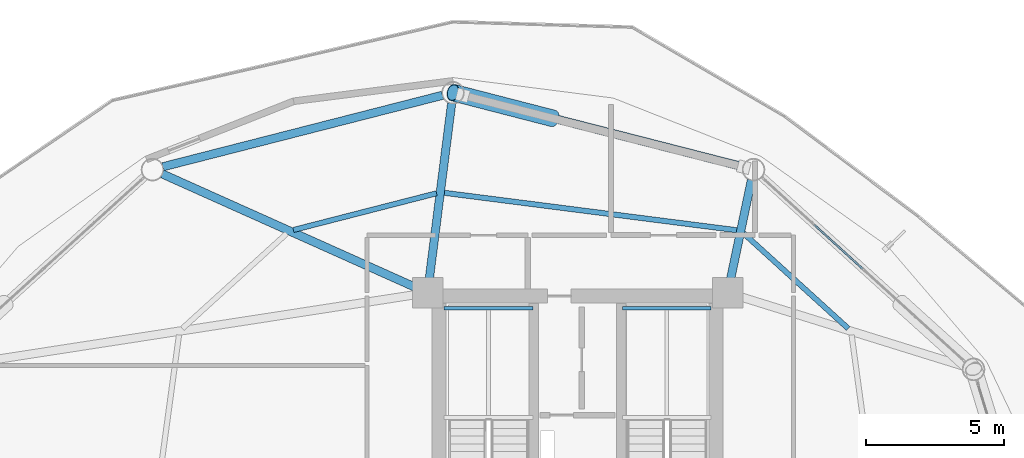
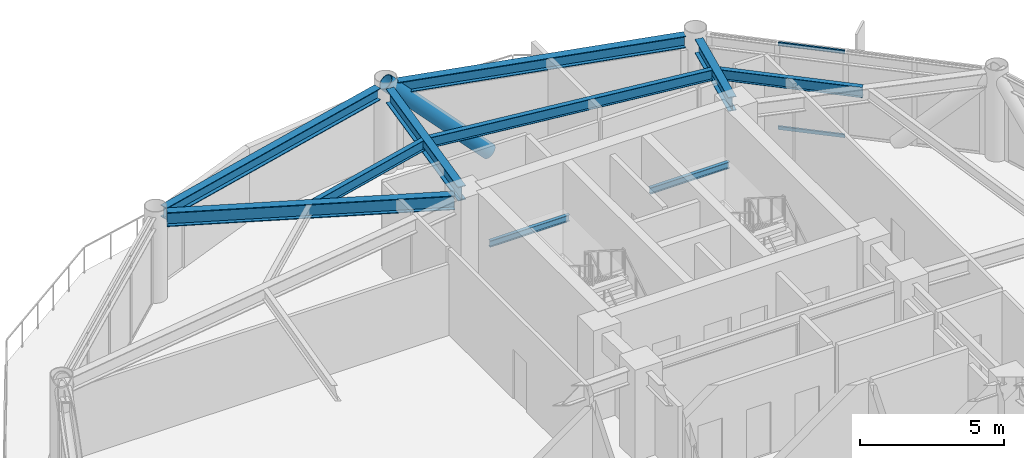
# One storey, part 16 of 23: 10 beams, 3 members, 1 element without a shape of its own.
"""IFC4 building model written with IfcOpenShell, lengths in metres."""

from ifc_helpers import new_model, si_unit, direction, frame, origin, origin_2d, place, context, subcontext, project, spatial, hollow_rectangle, hollow_circle, i_section, extrude, material, layer, layer_set, material_profile, profile_set, type_object, element, aggregate, save


model = new_model("IFC4")

# Units and contexts
model_context = context("Model", 3, precision=1e-05, world=origin(), true_north=direction((0.0, 1.0)))
body_context = subcontext(model_context, "Body", "Model", "MODEL_VIEW")
ifc_project = project(units=[si_unit("LENGTHUNIT", "METRE"), si_unit("AREAUNIT", "SQUARE_METRE"), si_unit("VOLUMEUNIT", "CUBIC_METRE"), si_unit("PLANEANGLEUNIT", "RADIAN"), si_unit("MASSUNIT", "GRAM", prefix="KILO")], contexts=[model_context])

# Site, building, storey
site_placement = place(None, origin())
site = spatial("IfcSite", under=ifc_project, at=site_placement, CompositionType="ELEMENT")
building_placement = place(site_placement, origin())
building = spatial("IfcBuilding", under=site, at=building_placement, Name="Varnakorn Sky Granary", CompositionType="ELEMENT")
storey_placement = place(building_placement, frame((0.0, 0.0, 83.699951171875)))
storey = spatial("IfcBuildingStorey", under=building, at=storey_placement, Name="L20", CompositionType="ELEMENT", Elevation=83.699951171875)

# Beams
ifc_material_1 = material(Name="Steel S355JR", Category="steel")
ifc_material_profile_1 = material_profile(ifc_material_1, i_section(OverallWidth=0.135009765625, OverallDepth=0.27001953125, WebThickness=0.006591796875, FlangeThickness=0.01025390625, at=origin_2d()), Name="IPE 270")
ifc_profile_set_1 = profile_set([ifc_material_profile_1], Name="Steel S355JR")
beam_type_1 = type_object("IfcBeamType", Name="BM-LND-270", PredefinedType="BEAM", material=ifc_profile_set_1)
for number, where, z_axis, x_axis, name in (
    (1, (-1.820068359375, 12.06005859375, 1.614990234375), (1.0, 0.0, 0.0), (0.0, 1.0, 0.0), "Stair ST-1 Landing Trimmer Beam B L20-1"),
    (2, (4.6201171875, 12.06005859375, 1.614990234375), (1.0, 0.0, 0.0), (0.0, 1.0, 0.0), "Stair ST-2 Landing Trimmer Beam B L20-1"),
):
    element("IfcBeam", number, at=place(storey_placement, frame(where, z_axis=z_axis, x_axis=x_axis)), inside=storey, type_object=beam_type_1, Name=name, PredefinedType="BEAM", context=body_context, shape_type="SweptSolid", body=[
        extrude(i_section(OverallWidth=0.135009765625, OverallDepth=0.27001953125, WebThickness=0.006591796875, FlangeThickness=0.01025390625, at=origin_2d()), origin(), (0.0, 0.0, 1.0), 3.199951171875),
    ])
ifc_material_profile_2 = material_profile(ifc_material_1, i_section(OverallWidth=0.300048828125, OverallDepth=0.60009765625, WebThickness=0.015380859375, FlangeThickness=0.030029296875, at=origin_2d()), Name="HE 600 B")
ifc_profile_set_2 = profile_set([ifc_material_profile_2], Name="Steel S355JR")
beam_type_2 = type_object("IfcBeamType", Name="BM-RAD-Z2", PredefinedType="BEAM", material=ifc_profile_set_2)
beam_1_placement = place(storey_placement, frame((8.506591796875, 13.031005859375, 3.340087890625), z_axis=(0.205961130531, 0.97856017327, 0.0), x_axis=(-0.97856017327, 0.205961130531, 0.0)))
element("IfcBeam", 3, at=beam_1_placement, inside=storey, type_object=beam_type_2, Name="Radial Floor Girder RG03 L20", PredefinedType="BEAM", context=body_context, shape_type="SweptSolid", body=[
    extrude(i_section(OverallWidth=0.300048828125, OverallDepth=0.60009765625, WebThickness=0.015380859375, FlangeThickness=0.030029296875, at=origin_2d()), origin(), (0.0, 0.0, 1.0), 3.73974609375),
])
beam_2_placement = place(storey_placement, frame((-2.366943359375, 13.03662109375, 3.340087890625), z_axis=(0.126238093441, 0.991999971655, 0.0), x_axis=(-0.991999971655, 0.126238093441, 0.0)))
element("IfcBeam", 4, at=beam_2_placement, inside=storey, type_object=beam_type_2, Name="Radial Floor Girder RG04 L20", PredefinedType="BEAM", context=body_context, shape_type="SweptSolid", body=[
    extrude(i_section(OverallWidth=0.300048828125, OverallDepth=0.60009765625, WebThickness=0.015380859375, FlangeThickness=0.030029296875, at=origin_2d()), origin(), (0.0, 0.0, 1.0), 6.476806640625),
])
beam_3_placement = place(storey_placement, frame((-2.80322265625, 12.791748046875, 3.340087890625), z_axis=(-0.912545489185, 0.408975219503, 0.0), x_axis=(-0.408975219503, -0.912545489185, 0.0)))
element("IfcBeam", 5, at=beam_3_placement, inside=storey, type_object=beam_type_2, Name="Radial Floor Girder RG05 L20", PredefinedType="BEAM", context=body_context, shape_type="SweptSolid", body=[
    extrude(i_section(OverallWidth=0.300048828125, OverallDepth=0.60009765625, WebThickness=0.015380859375, FlangeThickness=0.030029296875, at=origin_2d()), origin(), (0.0, 0.0, 1.0), 10.078369140625),
])
ifc_material_profile_3 = material_profile(ifc_material_1, i_section(OverallWidth=0.18994140625, OverallDepth=0.449951171875, WebThickness=0.009521484375, FlangeThickness=0.0146484375, at=origin_2d()), Name="IPE 450")
ifc_profile_set_3 = profile_set([ifc_material_profile_3], Name="Steel S355JR")
beam_type_3 = type_object("IfcBeamType", Name="BM-SEC-Z2", PredefinedType="BEAM", material=ifc_profile_set_3)
beam_4_placement = place(storey_placement, frame((12.77294921875, 11.32861328125, 3.4150390625), z_axis=(-0.739589615907, 0.673058095593, 0.0), x_axis=(-0.673058095593, -0.739589615907, 0.0)))
element("IfcBeam", 6, at=beam_4_placement, inside=storey, type_object=beam_type_3, Name="Secondary Floor Chord Beam MSB02 L20", PredefinedType="BEAM", context=body_context, shape_type="SweptSolid", body=[
    extrude(i_section(OverallWidth=0.18994140625, OverallDepth=0.449951171875, WebThickness=0.009521484375, FlangeThickness=0.0146484375, at=origin_2d()), origin(), (0.0, 0.0, 1.0), 5.10791015625),
])
beam_5_placement = place(storey_placement, frame((8.752685546875, 14.878662109375, 3.4150390625), z_axis=(-0.991915337494, 0.126901391814, 0.0), x_axis=(-0.126901391814, -0.991915337494, 0.0)))
element("IfcBeam", 7, at=beam_5_placement, inside=storey, type_object=beam_type_3, Name="Secondary Floor Chord Beam MSB03 L20", PredefinedType="BEAM", context=body_context, shape_type="SweptSolid", body=[
    extrude(i_section(OverallWidth=0.18994140625, OverallDepth=0.449951171875, WebThickness=0.009521484375, FlangeThickness=0.0146484375, at=origin_2d()), origin(), (0.0, 0.0, 1.0), 10.658203125),
])
beam_6_placement = place(storey_placement, frame((-2.09375, 16.21435546875, 3.4150390625), z_axis=(-0.96863424379, -0.248490848438, 0.0), x_axis=(0.248490848438, -0.96863424379, 0.0)))
element("IfcBeam", 8, at=beam_6_placement, inside=storey, type_object=beam_type_3, Name="Secondary Floor Chord Beam MSB04 L20", PredefinedType="BEAM", context=body_context, shape_type="SweptSolid", body=[
    extrude(i_section(OverallWidth=0.18994140625, OverallDepth=0.449951171875, WebThickness=0.009521484375, FlangeThickness=0.0146484375, at=origin_2d()), origin(), (0.0, 0.0, 1.0), 5.33984375),
])
ifc_material_profile_4 = material_profile(ifc_material_1, i_section(OverallWidth=0.300048828125, OverallDepth=0.5, WebThickness=0.014404296875, FlangeThickness=0.028076171875, at=origin_2d()), Name="HE 500 B")
ifc_profile_set_4 = profile_set([ifc_material_profile_4], Name="Steel S355JR")
beam_type_4 = type_object("IfcBeamType", Name="BM-SPD-Z2", PredefinedType="SPANDREL", material=ifc_profile_set_4)
for number, where, z_axis, x_axis, name in (
    (9, (8.978271484375, 17.170654296875, 3.39013671875), (-0.968829377947, 0.247728957586, 0.0), (-0.247728957586, -0.968829377947, 0.0), "Perimeter Spandrel Ring Beam RB03 L20"),
    (10, (-1.87939453125, 19.7529296875, 3.39013671875), (-0.968829377947, -0.247728957586, 0.0), (0.247728957586, -0.968829377947, 0.0), "Perimeter Spandrel Ring Beam RB04 L20"),
):
    element("IfcBeam", number, at=place(storey_placement, frame(where, z_axis=z_axis, x_axis=x_axis)), inside=storey, type_object=beam_type_4, Name=name, PredefinedType="SPANDREL", context=body_context, shape_type="SweptSolid", body=[
        extrude(i_section(OverallWidth=0.300048828125, OverallDepth=0.5, WebThickness=0.014404296875, FlangeThickness=0.028076171875, at=origin_2d()), origin(), (0.0, 0.0, 1.0), 10.423828125),
    ])

# Curtain wall, members
ifc_material_2 = material(Name="Anodised Bronze Aluminium Alloy 6063-T6", Category="aluminium")
ifc_layer = layer(ifc_material_2, 0.18994140625, Name="Anodised Bronze Aluminium Alloy 6063-T6")
ifc_layer_set = layer_set([ifc_layer], Name="Anodised Bronze Aluminium Alloy 6063-T6")
curtain_wall_type = type_object("IfcCurtainWallType", Name="CW-FRM-1", PredefinedType="USERDEFINED", material=ifc_layer_set)
curtain_wall_placement = place(storey_placement, origin())
curtain_wall = element("IfcCurtainWall", 11, at=curtain_wall_placement, inside=storey, type_object=curtain_wall_type, Name="Unitised Curtain Wall CW3 CW-L20-B02", ObjectType="CURTAIN WALL", PredefinedType="USERDEFINED")
ifc_material_profile_5 = material_profile(ifc_material_2, hollow_rectangle(XDim=0.070068359375, YDim=0.139892578125, WallThickness=0.00341796875, at=origin_2d()), Name="ALU TRAN 70x140")
ifc_profile_set_5 = profile_set([ifc_material_profile_5], Name="Anodised Bronze Aluminium Alloy 6063-T6")
member_type_1 = type_object("IfcMemberType", Name="CW-FRM-1-TRAN", PredefinedType="USERDEFINED", material=ifc_profile_set_5)
member_1_placement = place(storey_placement, frame((11.537353515625, 15.083251953125, 0.03515625), z_axis=(0.740302104901, -0.67227434391, 0.0), x_axis=(0.67227434391, 0.740302104901, 0.0)))
member_1 = element("IfcMember", 12, at=member_1_placement, type_object=member_type_1, Name="CW3 transom 2.1", ObjectType="TRANSOM", PredefinedType="USERDEFINED", context=body_context, shape_type="SweptSolid", body=[
    extrude(hollow_rectangle(XDim=0.070068359375, YDim=0.139892578125, WallThickness=0.00341796875, at=origin_2d()), origin(), (0.0, 0.0, 1.0), 2.37939453125),
])
member_2_placement = place(storey_placement, frame((11.537353515625, 15.083251953125, 3.60498046875), z_axis=(0.740302104901, -0.67227434391, 0.0), x_axis=(0.67227434391, 0.740302104901, 0.0)))
member_2 = element("IfcMember", 13, at=member_2_placement, type_object=member_type_1, Name="CW3 transom 2.2", ObjectType="TRANSOM", PredefinedType="USERDEFINED", context=body_context, shape_type="SweptSolid", body=[
    extrude(hollow_rectangle(XDim=0.070068359375, YDim=0.139892578125, WallThickness=0.00341796875, at=origin_2d()), origin(), (0.0, 0.0, 1.0), 2.37939453125),
])
aggregate(curtain_wall, [member_1, member_2])

# Member
ifc_material_3 = material(Name="Steel S460M", Category="steel")
ifc_material_profile_6 = material_profile(ifc_material_3, hollow_circle(Radius=0.304931640625, WallThickness=0.022216796875, at=origin_2d()), Name="CHS 610x22")
ifc_profile_set_6 = profile_set([ifc_material_profile_6], Name="Steel S460M")
member_type_2 = type_object("IfcMemberType", Name="MB-DIAG-T1", PredefinedType="BRACE", material=ifc_profile_set_6)
member_3_placement = place(storey_placement, frame((2.117431640625, 18.9169921875, 0.0), z_axis=(-0.693520437269, 0.178891483515, 0.697873369757), x_axis=(-0.249771288263, -0.968304860857, 0.0)))
element("IfcMember", 14, at=member_3_placement, inside=storey, type_object=member_type_2, Name="Perimeter CHS Diagrid Brace DG03 L20", PredefinedType="BRACE", context=body_context, shape_type="SweptSolid", body=[
    extrude(hollow_circle(Radius=0.304931640625, WallThickness=0.022216796875, at=origin_2d()), origin(), (0.0, 0.0, 1.0), 5.216064453125),
])

save(model, "model.ifc")
